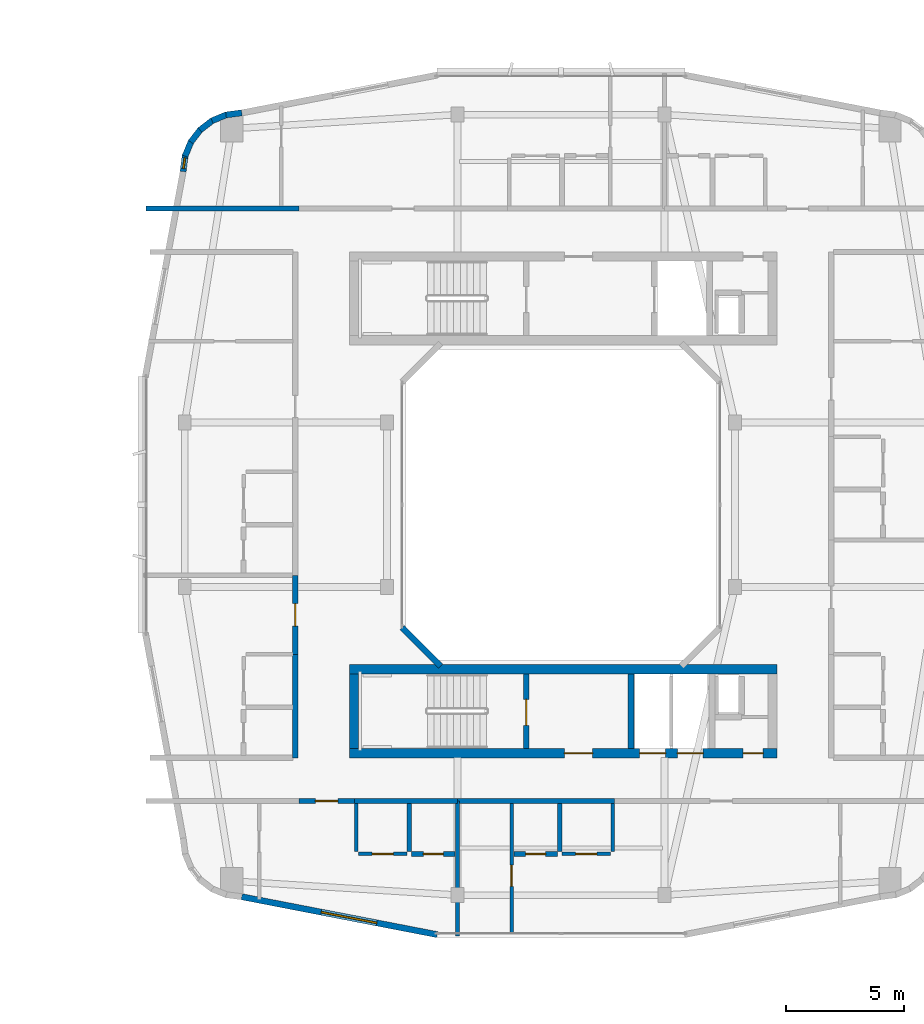
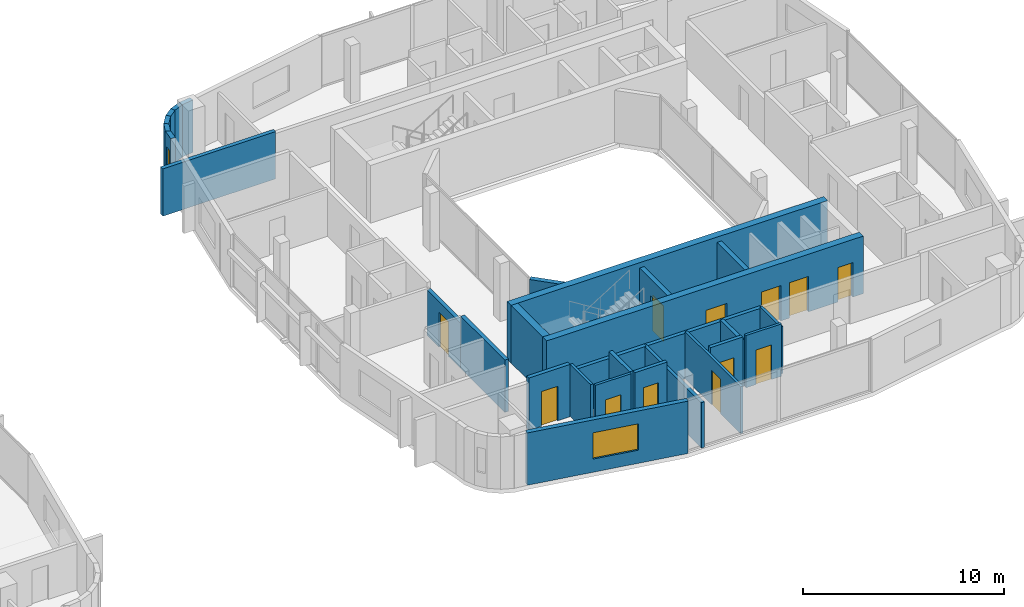
# One storey, part 17 of 26: 29 walls, 12 doors, 2 windows, 14 openings.
"""IFC4 building model written with IfcOpenShell, lengths in metres."""

from ifc_helpers import new_model, si_unit, derived_unit, direction, frame, frame_2d, origin, place, context, subcontext, project, spatial, rectangle, extrude, material, layer, layer_set, type_object, element, fill, save


model = new_model("IFC4")

# Units and contexts
model_context = context("Model", 3, precision=1e-05, world=origin(), true_north=direction((0.0, 1.0)))
body_context = subcontext(model_context, "Body", "Model", "MODEL_VIEW")
ifc_project = project(units=[si_unit("LENGTHUNIT", "METRE"), si_unit("AREAUNIT", "SQUARE_METRE"), si_unit("VOLUMEUNIT", "CUBIC_METRE"), si_unit("PLANEANGLEUNIT", "RADIAN"), si_unit("MASSUNIT", "GRAM", prefix="KILO"), derived_unit("THERMALTRANSMITTANCEUNIT", [(si_unit("POWERUNIT", "WATT"), 1), (si_unit("LENGTHUNIT", "METRE"), -2), (si_unit("THERMODYNAMICTEMPERATUREUNIT", "KELVIN"), -1)])], contexts=[model_context])

# Site, building, storey
site_placement = place(None, origin())
site = spatial("IfcSite", under=ifc_project, at=site_placement, CompositionType="ELEMENT")
building_placement = place(site_placement, origin())
building = spatial("IfcBuilding", under=site, at=building_placement, Name="Kivonza Crest Hotel", CompositionType="ELEMENT")
storey_placement = place(building_placement, frame((0.0, 0.0, 116.0)))
storey = spatial("IfcBuildingStorey", under=building, at=storey_placement, Name="L31", CompositionType="ELEMENT", Elevation=116.0)

# Walls
ifc_material_1 = material(Name="High-density acoustic masonry inter-tenancy wall", Category="masonry")
ifc_layer_1 = layer(ifc_material_1, 0.179931640625)
ifc_layer_set_1 = layer_set([ifc_layer_1], Name="High-density acoustic masonry inter-tenancy wall")
wall_type_1 = type_object("IfcWallType", Name="WL-ACOU-180", PredefinedType="SOLIDWALL", material=ifc_layer_set_1)
wall_1_placement = place(storey_placement, frame((72.60009765625, 6.659912109375, 0.0), z_axis=(0.0, 0.0, 1.0), x_axis=(0.0, 1.0, 0.0)))
element("IfcWall", 1, at=wall_1_placement, inside=storey, type_object=wall_type_1, Name="L31 interior partition WA-L31-T2S-DIV1", PredefinedType="SOLIDWALL", context=body_context, shape_type="SweptSolid", body=[
    extrude(rectangle(XDim=5.739990234375, YDim=0.179931640625, at=frame_2d((2.8701171875, 0.0))), origin(), (0.0, 0.0, 1.0), 2.7548828125),
])
ifc_material_2 = material(Name="Autoclaved aerated concrete blockwork", Category="masonry")
ifc_layer_2 = layer(ifc_material_2, 0.219970703125)
ifc_layer_set_2 = layer_set([ifc_layer_2], Name="Autoclaved aerated concrete blockwork")
wall_type_2 = type_object("IfcWallType", Name="WL-ACOU-220", PredefinedType="SOLIDWALL", material=ifc_layer_set_2)
wall_2_placement = place(storey_placement, frame((59.360107421875, 37.60009765625, 0.0), z_axis=(0.0, 0.0, 1.0), x_axis=(1.0, 0.0, 0.0)))
element("IfcWall", 2, at=wall_2_placement, inside=storey, type_object=wall_type_2, Name="L31 interior partition WA-L31-A01-LCORR", PredefinedType="SOLIDWALL", context=body_context, shape_type="SweptSolid", body=[
    extrude(rectangle(XDim=6.489990234375, YDim=0.219970703125, at=frame_2d((3.2451171875, 0.0))), origin(), (0.0, 0.0, 1.0), 2.875),
])
wall_3_placement = place(storey_placement, frame((68.219970703125, 12.39990234375, 0.0), z_axis=(0.0, 0.0, 1.0), x_axis=(1.0, 0.0, 0.0)))
element("IfcWall", 3, at=wall_3_placement, inside=storey, type_object=wall_type_2, Name="L31 interior partition WA-L31-A03-RCORR", PredefinedType="SOLIDWALL", context=body_context, shape_type="SweptSolid", body=[
    extrude(rectangle(XDim=4.380126953125, YDim=0.219970703125, at=frame_2d((2.18994140625, 0.0))), origin(), (0.0, 0.0, 1.0), 2.7548828125),
])

# Wall, opening, door
wall_4_placement = place(storey_placement, frame((65.85009765625, 12.39990234375, 0.0), z_axis=(0.0, 0.0, 1.0), x_axis=(1.0, 0.0, 0.0)))
wall_4 = element("IfcWall", 4, at=wall_4_placement, inside=storey, type_object=wall_type_2, Name="L31 interior partition WA-L31-A03-MCORR", PredefinedType="SOLIDWALL", context=body_context, shape_type="SweptSolid", body=[
    extrude(rectangle(XDim=2.369873046875, YDim=0.219970703125, at=frame_2d((1.18505859375, 0.0))), origin(), (0.0, 0.0, 1.0), 3.179931640625),
])
opening_1_placement = place(wall_4_placement, frame((0.7099609375, 0.0, 0.0)))
opening_1 = element("IfcOpeningElement", 5, at=opening_1_placement, cuts=wall_4, Name="Opening DU-60", PredefinedType="OPENING", context=body_context, shape_type="SweptSolid", body=[
    extrude(rectangle(XDim=0.949951171875, YDim=2.10009765625, at=frame_2d((0.47509765625, 1.050048828125))), frame((0.0, 0.1201171875, 0.0), z_axis=(0.0, -1.0, 0.0), x_axis=(1.0, 0.0, 0.0)), (0.0, 0.0, 1.0), 0.239990234375),
])
ifc_material_3 = material(Name="Hardwood timber oak", Category="wood")
door_type_1 = type_object("IfcDoorType", Name="DR-UNIT-950", OperationType="NOTDEFINED", PredefinedType="DOOR", material=ifc_material_3)
door_1_placement = place(opening_1_placement, frame((0.949951171875, 0.0, 0.0), z_axis=(0.0, 0.0, 1.0), x_axis=(-1.0, 0.0, 0.0)))
door_1 = element("IfcDoor", 6, at=door_1_placement, inside=storey, type_object=door_type_1, Name="L31 A03 apartment entrance fire door", OperationType="SINGLE_SWING_LEFT", OverallHeight=2.10009765625, OverallWidth=0.949951171875, PredefinedType="DOOR", context=body_context, shape_type="SweptSolid", body=[
    extrude(rectangle(XDim=0.949951171875, YDim=2.10009765625, at=frame_2d((0.47509765625, 1.050048828125))), frame((0.0, 0.02490234375, 0.0), z_axis=(0.0, -1.0, 0.0), x_axis=(1.0, 0.0, 0.0)), (0.0, 0.0, 1.0), 0.050048828125),
])
fill(opening_1, door_1)

# Walls
wall_5_placement = place(storey_placement, frame((72.60009765625, 12.39990234375, 0.0), z_axis=(0.0, 0.0, 1.0), x_axis=(1.0, 0.0, 0.0)))
element("IfcWall", 7, at=wall_5_placement, inside=storey, type_object=wall_type_2, Name="L31 interior partition WA-L31-A04-LCORR", PredefinedType="SOLIDWALL", context=body_context, shape_type="SweptSolid", body=[
    extrude(rectangle(XDim=6.679931640625, YDim=0.219970703125, at=frame_2d((3.33984375, 0.0))), origin(), (0.0, 0.0, 1.0), 2.7548828125),
])
wall_6_placement = place(storey_placement, frame((65.699951171875, 14.239990234375, 0.0), z_axis=(0.0, 0.0, 1.0), x_axis=(0.0, 1.0, 0.0)))
element("IfcWall", 8, at=wall_6_placement, inside=storey, type_object=wall_type_2, Name="L31 interior partition WA-L31-A05-BCORR", PredefinedType="SOLIDWALL", context=body_context, shape_type="SweptSolid", body=[
    extrude(rectangle(XDim=4.39990234375, YDim=0.219970703125, at=frame_2d((2.199951171875, 0.0))), origin(), (0.0, 0.0, 1.0), 3.179931640625),
])

# Wall, opening, door
wall_7_placement = place(storey_placement, frame((65.699951171875, 18.639892578125, 0.0), z_axis=(0.0, 0.0, 1.0), x_axis=(0.0, 1.0, 0.0)))
wall_7 = element("IfcWall", 9, at=wall_7_placement, inside=storey, type_object=wall_type_2, Name="L31 interior partition WA-L31-A05-MCORR", PredefinedType="SOLIDWALL", context=body_context, shape_type="SweptSolid", body=[
    extrude(rectangle(XDim=3.360107421875, YDim=0.219970703125, at=frame_2d((1.68017578125, 0.0))), origin(), (0.0, 0.0, 1.0), 2.7548828125),
])
opening_2_placement = place(wall_7_placement, frame((1.205078125, 0.0, 0.0)))
opening_2 = element("IfcOpeningElement", 10, at=opening_2_placement, cuts=wall_7, Name="Opening DU-60", PredefinedType="OPENING", context=body_context, shape_type="SweptSolid", body=[
    extrude(rectangle(XDim=0.949951171875, YDim=2.10009765625, at=frame_2d((0.47509765625, 1.050048828125))), frame((0.0, 0.1201171875, 0.0), z_axis=(0.0, -1.0, 0.0), x_axis=(1.0, 0.0, 0.0)), (0.0, 0.0, 1.0), 0.239990234375),
])
door_2_placement = place(opening_2_placement, origin())
door_2 = element("IfcDoor", 11, at=door_2_placement, inside=storey, type_object=door_type_1, Name="L31 A05 apartment entrance fire door", OperationType="SINGLE_SWING_LEFT", OverallHeight=2.10009765625, OverallWidth=0.949951171875, PredefinedType="DOOR", context=body_context, shape_type="SweptSolid", body=[
    extrude(rectangle(XDim=0.949951171875, YDim=2.10009765625, at=frame_2d((0.47509765625, 1.050048828125))), frame((0.0, 0.02490234375, 0.0), z_axis=(0.0, -1.0, 0.0), x_axis=(1.0, 0.0, 0.0)), (0.0, 0.0, 1.0), 0.050048828125),
])
fill(opening_2, door_2)

# Wall, openings, doors
ifc_material_4 = material(Name="Concrete C50/60", Category="concrete")
ifc_layer_3 = layer(ifc_material_4, 0.39990234375)
ifc_layer_set_3 = layer_set([ifc_layer_3], Name="Concrete C50/60")
wall_type_3 = type_object("IfcWallType", Name="WL-CORE-400", PredefinedType="SHEAR", material=ifc_layer_set_3)
wall_8_placement = place(storey_placement, frame((68.0, 14.43994140625, 0.0), z_axis=(0.0, 0.0, 1.0), x_axis=(1.0, 0.0, 0.0)))
wall_8 = element("IfcWall", 12, at=wall_8_placement, inside=storey, type_object=wall_type_3, Name="Core wall T2-S South L31", PredefinedType="SHEAR", context=body_context, shape_type="SweptSolid", body=[
    extrude(rectangle(XDim=18.199951171875, YDim=0.39990234375, at=frame_2d((9.10009765625, 0.0))), origin(), (0.0, 0.0, 1.0), 3.5),
])
opening_3_placement = place(wall_8_placement, frame((9.14990234375, 0.0, 0.0)))
opening_3 = element("IfcOpeningElement", 13, at=opening_3_placement, cuts=wall_8, Name="Opening DF-60", PredefinedType="OPENING", context=body_context, shape_type="SweptSolid", body=[
    extrude(rectangle(XDim=1.199951171875, YDim=2.14990234375, at=frame_2d((0.60009765625, 1.074951171875))), frame((0.0, 0.2099609375, 0.0), z_axis=(0.0, -1.0, 0.0), x_axis=(1.0, 0.0, 0.0)), (0.0, 0.0, 1.0), 0.419921875),
])
opening_4_placement = place(wall_8_placement, frame((16.75, 0.0, 0.0)))
opening_4 = element("IfcOpeningElement", 14, at=opening_4_placement, cuts=wall_8, Name="Opening DF-60R", PredefinedType="OPENING", context=body_context, shape_type="SweptSolid", body=[
    extrude(rectangle(XDim=0.85009765625, YDim=2.10009765625, at=frame_2d((0.425048828125, 1.050048828125))), frame((0.0, 0.2099609375, 0.0), z_axis=(0.0, -1.0, 0.0), x_axis=(1.0, 0.0, 0.0)), (0.0, 0.0, 1.0), 0.419921875),
])
opening_5_placement = place(wall_8_placement, frame((12.35009765625, 0.0, 0.0)))
opening_5 = element("IfcOpeningElement", 15, at=opening_5_placement, cuts=wall_8, Name="Opening LD-120", PredefinedType="OPENING", context=body_context, shape_type="SweptSolid", body=[
    extrude(rectangle(XDim=1.10009765625, YDim=2.14990234375, at=frame_2d((0.550048828125, 1.074951171875))), frame((0.0, 0.2099609375, 0.0), z_axis=(0.0, -1.0, 0.0), x_axis=(1.0, 0.0, 0.0)), (0.0, 0.0, 1.0), 0.419921875),
])
opening_6_placement = place(wall_8_placement, frame((13.949951171875, 0.0, 0.0)))
opening_6 = element("IfcOpeningElement", 16, at=opening_6_placement, cuts=wall_8, Name="Opening LD-120", PredefinedType="OPENING", context=body_context, shape_type="SweptSolid", body=[
    extrude(rectangle(XDim=1.10009765625, YDim=2.14990234375, at=frame_2d((0.550048828125, 1.074951171875))), frame((0.0, 0.2099609375, 0.0), z_axis=(0.0, -1.0, 0.0), x_axis=(1.0, 0.0, 0.0)), (0.0, 0.0, 1.0), 0.419921875),
])
door_type_2 = type_object("IfcDoorType", Name="DR-FD60-1200", OperationType="NOTDEFINED", PredefinedType="DOOR", material=ifc_material_3)
door_3_placement = place(opening_3_placement, frame((1.199951171875, 0.0, 0.0), z_axis=(0.0, 0.0, 1.0), x_axis=(-1.0, 0.0, 0.0)))
door_3 = element("IfcDoor", 17, at=door_3_placement, inside=storey, type_object=door_type_2, Name="L31 T2-S firefighting lobby fire door", OperationType="SINGLE_SWING_LEFT", OverallHeight=2.14990234375, OverallWidth=1.199951171875, PredefinedType="DOOR", context=body_context, shape_type="SweptSolid", body=[
    extrude(rectangle(XDim=1.199951171875, YDim=2.14990234375, at=frame_2d((0.60009765625, 1.074951171875))), frame((0.0, 0.02490234375, 0.0), z_axis=(0.0, -1.0, 0.0), x_axis=(1.0, 0.0, 0.0)), (0.0, 0.0, 1.0), 0.050048828125),
])
fill(opening_3, door_3)
door_type_3 = type_object("IfcDoorType", Name="DR-FD60-850", OperationType="NOTDEFINED", PredefinedType="DOOR", material=ifc_material_3)
door_4_placement = place(opening_4_placement, frame((0.85009765625, 0.0, 0.0), z_axis=(0.0, 0.0, 1.0), x_axis=(-1.0, 0.0, 0.0)))
door_4 = element("IfcDoor", 18, at=door_4_placement, inside=storey, type_object=door_type_3, Name="L31 T2-S core room door", OperationType="SINGLE_SWING_RIGHT", OverallHeight=2.10009765625, OverallWidth=0.85009765625, PredefinedType="DOOR", context=body_context, shape_type="SweptSolid", body=[
    extrude(rectangle(XDim=0.85009765625, YDim=2.10009765625, at=frame_2d((0.425048828125, 1.050048828125))), frame((0.0, 0.02490234375, 0.0), z_axis=(0.0, -1.0, 0.0), x_axis=(1.0, 0.0, 0.0)), (0.0, 0.0, 1.0), 0.050048828125),
])
fill(opening_4, door_4)
ifc_material_5 = material(Name="Stainless steel", Category="steel")
door_type_4 = type_object("IfcDoorType", Name="DR-LD120-1100", OperationType="NOTDEFINED", PredefinedType="DOOR", material=ifc_material_5)
door_5_placement = place(opening_5_placement, frame((1.10009765625, 0.0, 0.0), z_axis=(0.0, 0.0, 1.0), x_axis=(-1.0, 0.0, 0.0)))
door_5 = element("IfcDoor", 19, at=door_5_placement, inside=storey, type_object=door_type_4, Name="L31 PL-T2-1 passenger lift sliding landing door", OperationType="DOUBLE_DOOR_SLIDING", OverallHeight=2.14990234375, OverallWidth=1.10009765625, PredefinedType="DOOR", context=body_context, shape_type="SweptSolid", body=[
    extrude(rectangle(XDim=1.10009765625, YDim=2.14990234375, at=frame_2d((0.550048828125, 1.074951171875))), frame((0.0, 0.02490234375, 0.0), z_axis=(0.0, -1.0, 0.0), x_axis=(1.0, 0.0, 0.0)), (0.0, 0.0, 1.0), 0.050048828125),
])
fill(opening_5, door_5)
door_6_placement = place(opening_6_placement, frame((1.10009765625, 0.0, 0.0), z_axis=(0.0, 0.0, 1.0), x_axis=(-1.0, 0.0, 0.0)))
door_6 = element("IfcDoor", 20, at=door_6_placement, inside=storey, type_object=door_type_4, Name="L31 PL-T2-2 passenger lift sliding landing door", OperationType="DOUBLE_DOOR_SLIDING", OverallHeight=2.14990234375, OverallWidth=1.10009765625, PredefinedType="DOOR", context=body_context, shape_type="SweptSolid", body=[
    extrude(rectangle(XDim=1.10009765625, YDim=2.14990234375, at=frame_2d((0.550048828125, 1.074951171875))), frame((0.0, 0.02490234375, 0.0), z_axis=(0.0, -1.0, 0.0), x_axis=(1.0, 0.0, 0.0)), (0.0, 0.0, 1.0), 0.050048828125),
])
fill(opening_6, door_6)

# Walls
wall_9_placement = place(storey_placement, frame((68.0, 18.0, 0.0), z_axis=(0.0, 0.0, 1.0), x_axis=(1.0, 0.0, 0.0)))
element("IfcWall", 21, at=wall_9_placement, inside=storey, type_object=wall_type_3, Name="Core wall T2-S North L31", PredefinedType="SHEAR", context=body_context, shape_type="SweptSolid", body=[
    extrude(rectangle(XDim=18.199951171875, YDim=0.39990234375, at=frame_2d((9.10009765625, 0.0))), origin(), (0.0, 0.0, 1.0), 3.5),
])
wall_10_placement = place(storey_placement, frame((68.199951171875, 14.639892578125, 0.0), z_axis=(0.0, 0.0, 1.0), x_axis=(0.0, 1.0, 0.0)))
element("IfcWall", 22, at=wall_10_placement, inside=storey, type_object=wall_type_3, Name="Core wall T2-S West L31", PredefinedType="SHEAR", context=body_context, shape_type="SweptSolid", body=[
    extrude(rectangle(XDim=3.16015625, YDim=0.39990234375, at=frame_2d((1.580078125, 0.0))), origin(), (0.0, 0.0, 1.0), 3.5),
])

# Wall, opening, window
ifc_material_6 = material(Name="Precast concrete C40/50", Category="concrete")
ifc_layer_4 = layer(ifc_material_6, 0.260009765625)
ifc_layer_set_4 = layer_set([ifc_layer_4], Name="Precast concrete C40/50")
wall_type_4 = type_object("IfcWallType", Name="WL-EXT-260", PredefinedType="STANDARD", material=ifc_layer_set_4)
wall_11_placement = place(storey_placement, frame((63.4169921875, 8.330078125, 0.0), z_axis=(0.0, 0.0, 1.0), x_axis=(0.981750199588, -0.190175039396, 0.0)))
wall_11 = element("IfcWall", 23, at=wall_11_placement, inside=storey, type_object=wall_type_4, Name="L31 T2 exterior insulated wall 7", PredefinedType="STANDARD", context=body_context, shape_type="SweptSolid", body=[
    extrude(rectangle(XDim=8.476806640625, YDim=0.260009765625, at=frame_2d((4.23828125, 0.0))), origin(), (0.0, 0.0, 1.0), 3.179931640625),
])
opening_7_placement = place(wall_11_placement, frame((3.4541015625, 0.0, 0.800048828125)))
opening_7 = element("IfcOpeningElement", 24, at=opening_7_placement, cuts=wall_11, Name="Opening WN-05", PredefinedType="OPENING", context=body_context, shape_type="SweptSolid", body=[
    extrude(rectangle(XDim=2.39990234375, YDim=1.60009765625, at=frame_2d((1.199951171875, 0.800048828125))), frame((0.0, 0.14013671875, 0.0), z_axis=(0.0, -1.0, 0.0), x_axis=(1.0, 0.0, 0.0)), (0.0, 0.0, 1.0), 0.280029296875),
])
ifc_material_7 = material(Name="Thermally broken bronze aluminium and low-E double glazing", Category="aluminium")
window_type_1 = type_object("IfcWindowType", Name="WN-240x160", PartitioningType="TRIPLE_PANEL_VERTICAL", PredefinedType="WINDOW", material=ifc_material_7)
window_1_placement = place(opening_7_placement, origin())
window_1 = element("IfcWindow", 25, at=window_1_placement, inside=storey, type_object=window_type_1, Name="L31 T2 facade window 7", OverallHeight=1.60009765625, OverallWidth=2.39990234375, PartitioningType="SINGLE_PANEL", PredefinedType="WINDOW", context=body_context, shape_type="SweptSolid", body=[
    extrude(rectangle(XDim=2.39990234375, YDim=1.60009765625, at=frame_2d((1.199951171875, 0.800048828125))), frame((0.0, 0.030029296875, 0.0), z_axis=(0.0, -1.0, 0.0), x_axis=(1.0, 0.0, 0.0)), (0.0, 0.0, 1.0), 0.06005859375),
])
fill(opening_7, window_1)

# Walls
wall_12_placement = place(storey_placement, frame((63.425048828125, 41.672119140625, 0.0), z_axis=(0.0, 0.0, 1.0), x_axis=(-0.991300187529, -0.13162043232, 0.0)))
element("IfcWall", 26, at=wall_12_placement, inside=storey, type_object=wall_type_4, Name="L31 T2 exterior insulated wall 28", PredefinedType="STANDARD", context=body_context, shape_type="SweptSolid", body=[
    extrude(rectangle(XDim=0.677001953125, YDim=0.260009765625, at=frame_2d((0.33837890625, 0.0))), origin(), (0.0, 0.0, 1.0), 3.179931640625),
])
for number, where, z_axis, x_axis, name in (
    (27, (62.800048828125, 41.60107421875, 0.0), (0.0, 0.0, 1.0), (-0.924093981904, -0.382165294877, 0.0), "L31 T2 exterior insulated wall 29"),
    (28, (62.198974609375, 41.364013671875, 0.0), (0.0, 0.0, 1.0), (-0.792637067512, -0.609693758543, 0.0), "L31 T2 exterior insulated wall 30"),
    (29, (61.679931640625, 40.97900390625, 0.0), (0.0, 0.0, 1.0), (-0.609472651958, -0.792807092876, 0.0), "L31 T2 exterior insulated wall 31"),
):
    element("IfcWall", number, at=place(storey_placement, frame(where, z_axis=z_axis, x_axis=x_axis)), inside=storey, type_object=wall_type_4, Name=name, PredefinedType="STANDARD", context=body_context, shape_type="SweptSolid", body=[
        extrude(rectangle(XDim=0.69384765625, YDim=0.260009765625, at=frame_2d((0.346923828125, 0.0))), origin(), (0.0, 0.0, 1.0), 3.179931640625),
    ])
wall_13_placement = place(storey_placement, frame((61.278076171875, 40.472900390625, 0.0), z_axis=(0.0, 0.0, 1.0), x_axis=(-0.382289608286, -0.924042561464, 0.0)))
element("IfcWall", 30, at=wall_13_placement, inside=storey, type_object=wall_type_4, Name="L31 T2 exterior insulated wall 32", PredefinedType="STANDARD", context=body_context, shape_type="SweptSolid", body=[
    extrude(rectangle(XDim=0.693603515625, YDim=0.260009765625, at=frame_2d((0.3466796875, 0.0))), origin(), (0.0, 0.0, 1.0), 3.179931640625),
])

# Wall, opening, window
wall_14_placement = place(storey_placement, frame((61.02099609375, 39.881103515625, 0.0), z_axis=(0.0, 0.0, 1.0), x_axis=(-0.130614135366, -0.991433279471, 0.0)))
wall_14 = element("IfcWall", 31, at=wall_14_placement, inside=storey, type_object=wall_type_4, Name="L31 T2 exterior insulated wall 33", PredefinedType="STANDARD", context=body_context, shape_type="SweptSolid", body=[
    extrude(rectangle(XDim=0.712158203125, YDim=0.260009765625, at=frame_2d((0.35595703125, 0.0))), origin(), (0.0, 0.0, 1.0), 3.179931640625),
])
opening_8_placement = place(wall_14_placement, frame((0.131103515625, 0.0, 0.85009765625)))
opening_8 = element("IfcOpeningElement", 32, at=opening_8_placement, cuts=wall_14, Name="Opening WN-11", PredefinedType="OPENING", context=body_context, shape_type="SweptSolid", body=[
    extrude(rectangle(XDim=0.449951171875, YDim=1.5, at=frame_2d((0.22509765625, 0.75))), frame((0.0, 0.14013671875, 0.0), z_axis=(0.0, -1.0, 0.0), x_axis=(1.0, 0.0, 0.0)), (0.0, 0.0, 1.0), 0.280029296875),
])
window_type_2 = type_object("IfcWindowType", Name="WN-045x150", PartitioningType="SINGLE_PANEL", PredefinedType="WINDOW", material=ifc_material_7)
window_2_placement = place(opening_8_placement, origin())
window_2 = element("IfcWindow", 33, at=window_2_placement, inside=storey, type_object=window_type_2, Name="L31 corner vision window 2", OverallHeight=1.5, OverallWidth=0.449951171875, PartitioningType="SINGLE_PANEL", PredefinedType="WINDOW", context=body_context, shape_type="SweptSolid", body=[
    extrude(rectangle(XDim=0.449951171875, YDim=1.5, at=frame_2d((0.22509765625, 0.75))), frame((0.0, 0.030029296875, 0.0), z_axis=(0.0, -1.0, 0.0), x_axis=(1.0, 0.0, 0.0)), (0.0, 0.0, 1.0), 0.06005859375),
])
fill(opening_8, window_2)

# Walls
wall_15_placement = place(storey_placement, frame((70.243896484375, 19.77197265625, 0.0), z_axis=(0.0, 0.0, 1.0), x_axis=(0.707106781187, -0.707106781187, 0.0)))
element("IfcWall", 34, at=wall_15_placement, inside=storey, type_object=wall_type_4, Name="L31 T2 light-well exterior wall 8", PredefinedType="STANDARD", context=body_context, shape_type="SweptSolid", body=[
    extrude(rectangle(XDim=2.310791015625, YDim=0.260009765625, at=frame_2d((1.1552734375, 0.0))), origin(), (0.0, 0.0, 1.0), 3.179931640625),
])
ifc_material_8 = material(Name="Twin-stud acoustic gypsum board partition", Category="gypsum")
ifc_layer_5 = layer(ifc_material_8, 0.14990234375)
ifc_layer_set_5 = layer_set([ifc_layer_5], Name="Twin-stud acoustic gypsum board partition")
wall_type_5 = type_object("IfcWallType", Name="WL-PART-150", PredefinedType="PARTITIONING", material=ifc_layer_set_5)
wall_16_placement = place(storey_placement, frame((68.300048828125, 10.25, 0.0), z_axis=(0.0, 0.0, 1.0), x_axis=(0.0, 1.0, 0.0)))
element("IfcWall", 35, at=wall_16_placement, inside=storey, type_object=wall_type_5, Name="L31 interior partition WP-L31-A03-KF", PredefinedType="PARTITIONING", context=body_context, shape_type="SweptSolid", body=[
    extrude(rectangle(XDim=2.050048828125, YDim=0.14990234375, at=frame_2d((1.02490234375, 0.0))), origin(), (0.0, 0.0, 1.0), 3.179931640625),
])

# Wall, opening, door
wall_17_placement = place(storey_placement, frame((68.39990234375, 10.14990234375, 0.0), z_axis=(0.0, 0.0, 1.0), x_axis=(1.0, 0.0, 0.0)))
wall_17 = element("IfcWall", 36, at=wall_17_placement, inside=storey, type_object=wall_type_5, Name="L31 interior partition WP-L31-A03-KSVC", PredefinedType="PARTITIONING", context=body_context, shape_type="SweptSolid", body=[
    extrude(rectangle(XDim=2.050048828125, YDim=0.14990234375, at=frame_2d((1.02490234375, 0.0))), origin(), (0.0, 0.0, 1.0), 3.179931640625),
])
opening_9_placement = place(wall_17_placement, frame((0.574951171875, 0.0, 0.0)))
opening_9 = element("IfcOpeningElement", 37, at=opening_9_placement, cuts=wall_17, Name="Opening DI-90", PredefinedType="OPENING", context=body_context, shape_type="SweptSolid", body=[
    extrude(rectangle(XDim=0.89990234375, YDim=2.10009765625, at=frame_2d((0.449951171875, 1.050048828125))), frame((0.0, 0.0849609375, 0.0), z_axis=(0.0, -1.0, 0.0), x_axis=(1.0, 0.0, 0.0)), (0.0, 0.0, 1.0), 0.169921875),
])
door_type_5 = type_object("IfcDoorType", Name="DR-INT-900", OperationType="NOTDEFINED", PredefinedType="DOOR", material=ifc_material_3)
door_7_placement = place(opening_9_placement, frame((0.89990234375, 0.0, 0.0), z_axis=(0.0, 0.0, 1.0), x_axis=(-1.0, 0.0, 0.0)))
door_7 = element("IfcDoor", 38, at=door_7_placement, inside=storey, type_object=door_type_5, Name="L31 A03 apartment kitchen door", OperationType="SINGLE_SWING_LEFT", OverallHeight=2.10009765625, OverallWidth=0.89990234375, PredefinedType="DOOR", context=body_context, shape_type="SweptSolid", body=[
    extrude(rectangle(XDim=0.89990234375, YDim=2.10009765625, at=frame_2d((0.449951171875, 1.050048828125))), frame((0.0, 0.02490234375, 0.0), z_axis=(0.0, -1.0, 0.0), x_axis=(1.0, 0.0, 0.0)), (0.0, 0.0, 1.0), 0.050048828125),
])
fill(opening_9, door_7)

wall_18_placement = place(storey_placement, frame((74.89990234375, 6.760009765625, 0.0), z_axis=(0.0, 0.0, 1.0), x_axis=(0.0, 1.0, 0.0)))
wall_18 = element("IfcWall", 39, at=wall_18_placement, inside=storey, type_object=wall_type_5, Name="L31 interior partition WP-L31-A04-BDW1", PredefinedType="PARTITIONING", context=body_context, shape_type="SweptSolid", body=[
    extrude(rectangle(XDim=5.5400390625, YDim=0.14990234375, at=frame_2d((2.77001953125, 0.0))), origin(), (0.0, 0.0, 1.0), 2.85498046875),
])
opening_10_placement = place(wall_18_placement, frame((2.010009765625, 0.0, 0.0)))
opening_10 = element("IfcOpeningElement", 40, at=opening_10_placement, cuts=wall_18, Name="Opening DI-90", PredefinedType="OPENING", context=body_context, shape_type="SweptSolid", body=[
    extrude(rectangle(XDim=0.89990234375, YDim=2.10009765625, at=frame_2d((0.449951171875, 1.050048828125))), frame((0.0, 0.0849609375, 0.0), z_axis=(0.0, -1.0, 0.0), x_axis=(1.0, 0.0, 0.0)), (0.0, 0.0, 1.0), 0.169921875),
])
door_8_placement = place(opening_10_placement, origin())
door_8 = element("IfcDoor", 41, at=door_8_placement, inside=storey, type_object=door_type_5, Name="L31 A04 bedroom 1 door", OperationType="SINGLE_SWING_LEFT", OverallHeight=2.10009765625, OverallWidth=0.89990234375, PredefinedType="DOOR", context=body_context, shape_type="SweptSolid", body=[
    extrude(rectangle(XDim=0.89990234375, YDim=2.10009765625, at=frame_2d((0.449951171875, 1.050048828125))), frame((0.0, 0.02490234375, 0.0), z_axis=(0.0, -1.0, 0.0), x_axis=(1.0, 0.0, 0.0)), (0.0, 0.0, 1.0), 0.050048828125),
])
fill(opening_10, door_8)

# Wall
wall_19_placement = place(storey_placement, frame((79.199951171875, 10.25, 0.0), z_axis=(0.0, 0.0, 1.0), x_axis=(0.0, 1.0, 0.0)))
element("IfcWall", 42, at=wall_19_placement, inside=storey, type_object=wall_type_5, Name="L31 interior partition WP-L31-A04-KF", PredefinedType="PARTITIONING", context=body_context, shape_type="SweptSolid", body=[
    extrude(rectangle(XDim=2.050048828125, YDim=0.14990234375, at=frame_2d((1.02490234375, 0.0))), origin(), (0.0, 0.0, 1.0), 2.85498046875),
])

# Wall, opening, door
wall_20_placement = place(storey_placement, frame((77.050048828125, 10.14990234375, 0.0), z_axis=(0.0, 0.0, 1.0), x_axis=(1.0, 0.0, 0.0)))
wall_20 = element("IfcWall", 43, at=wall_20_placement, inside=storey, type_object=wall_type_5, Name="L31 interior partition WP-L31-A04-KSVC", PredefinedType="PARTITIONING", context=body_context, shape_type="SweptSolid", body=[
    extrude(rectangle(XDim=2.050048828125, YDim=0.14990234375, at=frame_2d((1.02490234375, 0.0))), origin(), (0.0, 0.0, 1.0), 3.179931640625),
])
opening_11_placement = place(wall_20_placement, frame((0.574951171875, 0.0, 0.0)))
opening_11 = element("IfcOpeningElement", 44, at=opening_11_placement, cuts=wall_20, Name="Opening DI-90", PredefinedType="OPENING", context=body_context, shape_type="SweptSolid", body=[
    extrude(rectangle(XDim=0.89990234375, YDim=2.10009765625, at=frame_2d((0.449951171875, 1.050048828125))), frame((0.0, 0.0849609375, 0.0), z_axis=(0.0, -1.0, 0.0), x_axis=(1.0, 0.0, 0.0)), (0.0, 0.0, 1.0), 0.169921875),
])
door_9_placement = place(opening_11_placement, frame((0.89990234375, 0.0, 0.0), z_axis=(0.0, 0.0, 1.0), x_axis=(-1.0, 0.0, 0.0)))
door_9 = element("IfcDoor", 45, at=door_9_placement, inside=storey, type_object=door_type_5, Name="L31 A04 apartment kitchen door", OperationType="SINGLE_SWING_RIGHT", OverallHeight=2.10009765625, OverallWidth=0.89990234375, PredefinedType="DOOR", context=body_context, shape_type="SweptSolid", body=[
    extrude(rectangle(XDim=0.89990234375, YDim=2.10009765625, at=frame_2d((0.449951171875, 1.050048828125))), frame((0.0, 0.02490234375, 0.0), z_axis=(0.0, -1.0, 0.0), x_axis=(1.0, 0.0, 0.0)), (0.0, 0.0, 1.0), 0.050048828125),
])
fill(opening_11, door_9)

# Wall
ifc_material_9 = material(Name="Moisture-resistant plumbing chase partition wall", Category="gypsum")
ifc_layer_6 = layer(ifc_material_9, 0.199951171875)
ifc_layer_set_6 = layer_set([ifc_layer_6], Name="Moisture-resistant plumbing chase partition wall")
wall_type_6 = type_object("IfcWallType", Name="WL-PLUMB-200", PredefinedType="PLUMBINGWALL", material=ifc_layer_set_6)
wall_21_placement = place(storey_placement, frame((70.550048828125, 10.25, 0.0), z_axis=(0.0, 0.0, 1.0), x_axis=(0.0, 1.0, 0.0)))
element("IfcWall", 46, at=wall_21_placement, inside=storey, type_object=wall_type_6, Name="L31 interior partition WW-L31-A03-BK", PredefinedType="PLUMBINGWALL", context=body_context, shape_type="SweptSolid", body=[
    extrude(rectangle(XDim=2.050048828125, YDim=0.199951171875, at=frame_2d((1.02490234375, 0.0))), origin(), (0.0, 0.0, 1.0), 3.179931640625),
])

# Wall, opening, door
wall_22_placement = place(storey_placement, frame((70.64990234375, 10.14990234375, 0.0), z_axis=(0.0, 0.0, 1.0), x_axis=(1.0, 0.0, 0.0)))
wall_22 = element("IfcWall", 47, at=wall_22_placement, inside=storey, type_object=wall_type_6, Name="L31 interior partition WW-L31-A03-BSVC", PredefinedType="PLUMBINGWALL", context=body_context, shape_type="SweptSolid", body=[
    extrude(rectangle(XDim=1.85009765625, YDim=0.199951171875, at=frame_2d((0.925048828125, 0.0))), origin(), (0.0, 0.0, 1.0), 3.179931640625),
])
opening_12_placement = place(wall_22_placement, frame((0.5, 0.0, 0.0)))
opening_12 = element("IfcOpeningElement", 48, at=opening_12_placement, cuts=wall_22, Name="Opening DI-85", PredefinedType="OPENING", context=body_context, shape_type="SweptSolid", body=[
    extrude(rectangle(XDim=0.85009765625, YDim=2.10009765625, at=frame_2d((0.425048828125, 1.050048828125))), frame((0.0, 0.10986328125, 0.0), z_axis=(0.0, -1.0, 0.0), x_axis=(1.0, 0.0, 0.0)), (0.0, 0.0, 1.0), 0.219970703125),
])
door_type_6 = type_object("IfcDoorType", Name="DR-INT-850", OperationType="NOTDEFINED", PredefinedType="DOOR", material=ifc_material_3)
door_10_placement = place(opening_12_placement, frame((0.85009765625, 0.0, 0.0), z_axis=(0.0, 0.0, 1.0), x_axis=(-1.0, 0.0, 0.0)))
door_10 = element("IfcDoor", 49, at=door_10_placement, inside=storey, type_object=door_type_6, Name="L31 A03 apartment bathroom door", OperationType="SINGLE_SWING_RIGHT", OverallHeight=2.10009765625, OverallWidth=0.85009765625, PredefinedType="DOOR", context=body_context, shape_type="SweptSolid", body=[
    extrude(rectangle(XDim=0.85009765625, YDim=2.10009765625, at=frame_2d((0.425048828125, 1.050048828125))), frame((0.0, 0.02490234375, 0.0), z_axis=(0.0, -1.0, 0.0), x_axis=(1.0, 0.0, 0.0)), (0.0, 0.0, 1.0), 0.050048828125),
])
fill(opening_12, door_10)

# Wall
wall_23_placement = place(storey_placement, frame((76.949951171875, 10.25, 0.0), z_axis=(0.0, 0.0, 1.0), x_axis=(0.0, 1.0, 0.0)))
element("IfcWall", 50, at=wall_23_placement, inside=storey, type_object=wall_type_6, Name="L31 interior partition WW-L31-A04-BK", PredefinedType="PLUMBINGWALL", context=body_context, shape_type="SweptSolid", body=[
    extrude(rectangle(XDim=2.050048828125, YDim=0.199951171875, at=frame_2d((1.02490234375, 0.0))), origin(), (0.0, 0.0, 1.0), 2.85498046875),
])

# Wall, opening, door
wall_24_placement = place(storey_placement, frame((75.0, 10.14990234375, 0.0), z_axis=(0.0, 0.0, 1.0), x_axis=(1.0, 0.0, 0.0)))
wall_24 = element("IfcWall", 51, at=wall_24_placement, inside=storey, type_object=wall_type_6, Name="L31 interior partition WW-L31-A04-BSVC", PredefinedType="PLUMBINGWALL", context=body_context, shape_type="SweptSolid", body=[
    extrude(rectangle(XDim=1.85009765625, YDim=0.199951171875, at=frame_2d((0.925048828125, 0.0))), origin(), (0.0, 0.0, 1.0), 3.179931640625),
])
opening_13_placement = place(wall_24_placement, frame((0.5, 0.0, 0.0)))
opening_13 = element("IfcOpeningElement", 52, at=opening_13_placement, cuts=wall_24, Name="Opening DI-85", PredefinedType="OPENING", context=body_context, shape_type="SweptSolid", body=[
    extrude(rectangle(XDim=0.85009765625, YDim=2.10009765625, at=frame_2d((0.425048828125, 1.050048828125))), frame((0.0, 0.10986328125, 0.0), z_axis=(0.0, -1.0, 0.0), x_axis=(1.0, 0.0, 0.0)), (0.0, 0.0, 1.0), 0.219970703125),
])
door_11_placement = place(opening_13_placement, frame((0.85009765625, 0.0, 0.0), z_axis=(0.0, 0.0, 1.0), x_axis=(-1.0, 0.0, 0.0)))
door_11 = element("IfcDoor", 53, at=door_11_placement, inside=storey, type_object=door_type_6, Name="L31 A04 apartment bathroom door", OperationType="SINGLE_SWING_LEFT", OverallHeight=2.10009765625, OverallWidth=0.85009765625, PredefinedType="DOOR", context=body_context, shape_type="SweptSolid", body=[
    extrude(rectangle(XDim=0.85009765625, YDim=2.10009765625, at=frame_2d((0.425048828125, 1.050048828125))), frame((0.0, 0.02490234375, 0.0), z_axis=(0.0, -1.0, 0.0), x_axis=(1.0, 0.0, 0.0)), (0.0, 0.0, 1.0), 0.050048828125),
])
fill(opening_13, door_11)

ifc_layer_7 = layer(ifc_material_4, 0.25)
ifc_layer_set_7 = layer_set([ifc_layer_7], Name="Concrete C50/60")
wall_type_7 = type_object("IfcWallType", Name="WL-SHAFT-250", PredefinedType="STANDARD", material=ifc_layer_set_7)
wall_25_placement = place(storey_placement, frame((75.52490234375, 14.639892578125, 0.0), z_axis=(0.0, 0.0, 1.0), x_axis=(0.0, 1.0, 0.0)))
wall_25 = element("IfcWall", 54, at=wall_25_placement, inside=storey, type_object=wall_type_7, Name="Core shaft wall T2-S STAIR L31", PredefinedType="STANDARD", context=body_context, shape_type="SweptSolid", body=[
    extrude(rectangle(XDim=3.16015625, YDim=0.25, at=frame_2d((1.580078125, 0.0))), origin(), (0.0, 0.0, 1.0), 3.179931640625),
])
opening_14_placement = place(wall_25_placement, frame((0.97998046875, 0.0, 0.0)))
opening_14 = element("IfcOpeningElement", 55, at=opening_14_placement, cuts=wall_25, Name="Opening DF-120", PredefinedType="OPENING", context=body_context, shape_type="SweptSolid", body=[
    extrude(rectangle(XDim=1.10009765625, YDim=2.14990234375, at=frame_2d((0.550048828125, 1.074951171875))), frame((0.0, 0.135009765625, 0.0), z_axis=(0.0, -1.0, 0.0), x_axis=(1.0, 0.0, 0.0)), (0.0, 0.0, 1.0), 0.27001953125),
])
ifc_material_10 = material(Name="Galvanised steel", Category="steel")
door_type_7 = type_object("IfcDoorType", Name="DR-FD120-1100", OperationType="NOTDEFINED", PredefinedType="DOOR", material=ifc_material_10)
door_12_placement = place(opening_14_placement, frame((1.10009765625, 0.0, 0.0), z_axis=(0.0, 0.0, 1.0), x_axis=(-1.0, 0.0, 0.0)))
door_12 = element("IfcDoor", 56, at=door_12_placement, inside=storey, type_object=door_type_7, Name="L31 T2-S stair fire door", OperationType="SINGLE_SWING_RIGHT", OverallHeight=2.14990234375, OverallWidth=1.10009765625, PredefinedType="DOOR", context=body_context, shape_type="SweptSolid", body=[
    extrude(rectangle(XDim=1.10009765625, YDim=2.14990234375, at=frame_2d((0.550048828125, 1.074951171875))), frame((0.0, 0.02490234375, 0.0), z_axis=(0.0, -1.0, 0.0), x_axis=(1.0, 0.0, 0.0)), (0.0, 0.0, 1.0), 0.050048828125),
])
fill(opening_14, door_12)

# Wall
wall_26_placement = place(storey_placement, frame((79.97509765625, 14.639892578125, 0.0), z_axis=(0.0, 0.0, 1.0), x_axis=(0.0, 1.0, 0.0)))
element("IfcWall", 57, at=wall_26_placement, inside=storey, type_object=wall_type_7, Name="Core shaft wall T2-S BANK-W L31", PredefinedType="STANDARD", context=body_context, shape_type="SweptSolid", body=[
    extrude(rectangle(XDim=3.16015625, YDim=0.25, at=frame_2d((1.580078125, 0.0))), origin(), (0.0, 0.0, 1.0), 3.179931640625),
])

save(model, "model.ifc")
